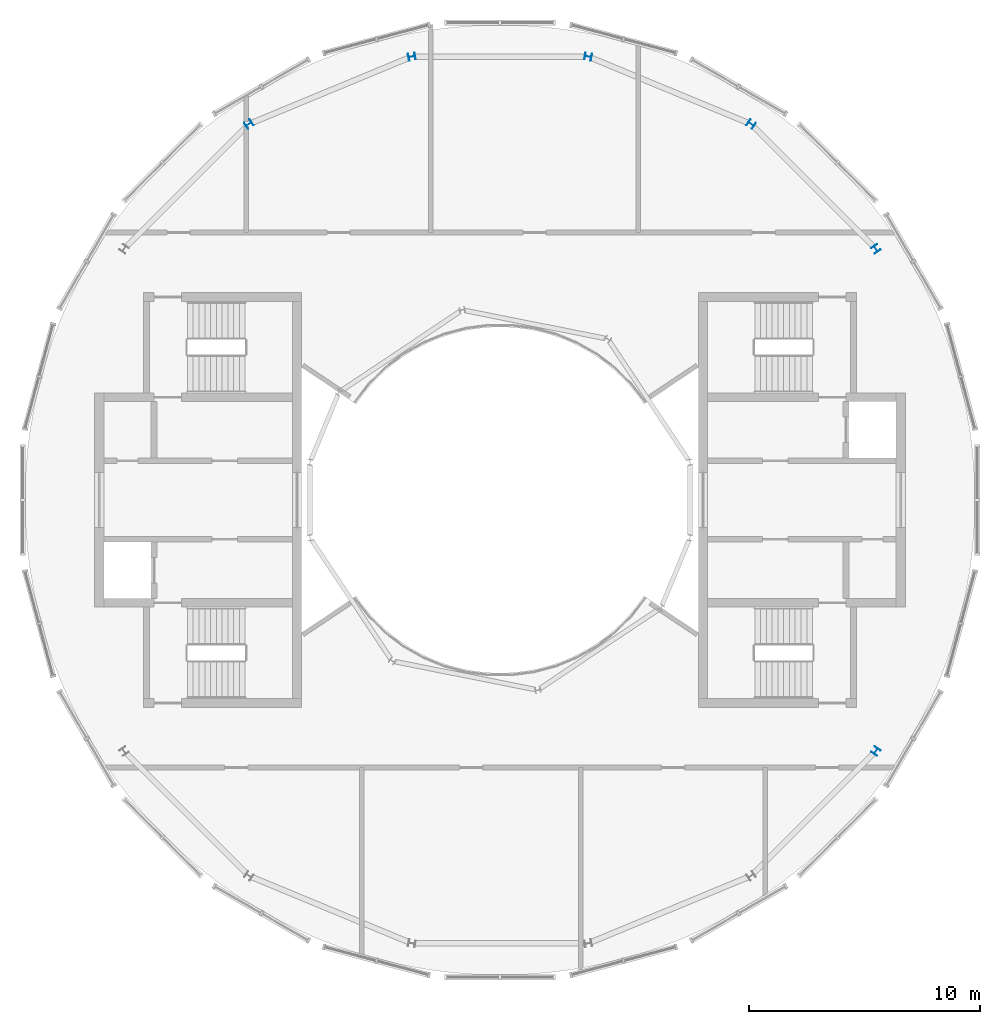
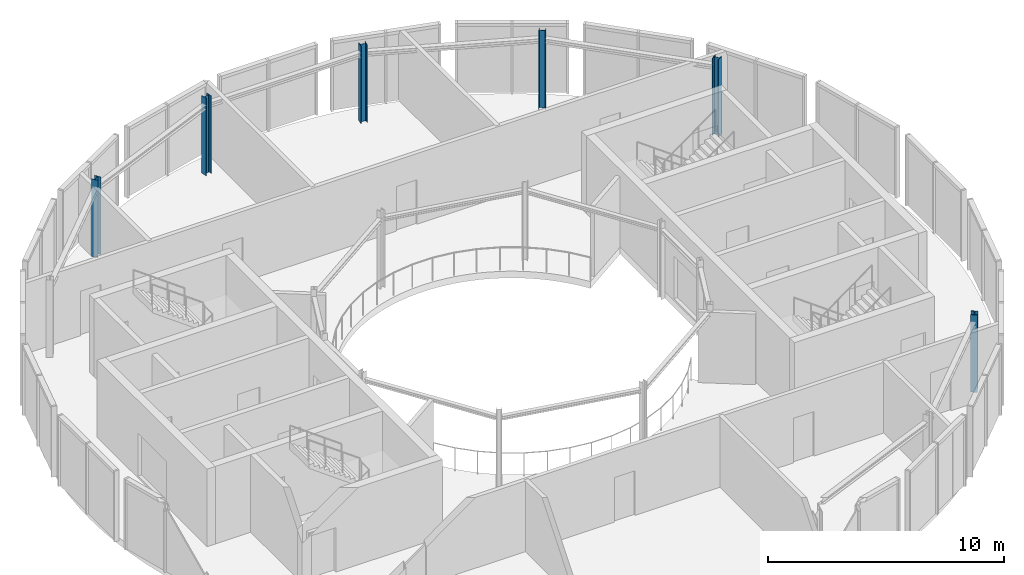
# One storey, part 3 of 12: 6 columns.
"""IFC4 building model written with IfcOpenShell, lengths in metres."""

from ifc_helpers import new_model, si_unit, direction, frame, origin, origin_2d, place, context, subcontext, project, spatial, i_section, extrude, material, material_profile, profile_set, type_object, element, save


model = new_model("IFC4")

# Units and contexts
model_context = context("Model", 3, precision=1e-05, world=origin(), true_north=direction((0.0, 1.0)))
body_context = subcontext(model_context, "Body", "Model", "MODEL_VIEW")
ifc_project = project(units=[si_unit("LENGTHUNIT", "METRE"), si_unit("AREAUNIT", "SQUARE_METRE"), si_unit("VOLUMEUNIT", "CUBIC_METRE"), si_unit("PLANEANGLEUNIT", "RADIAN"), si_unit("MASSUNIT", "GRAM", prefix="KILO")], contexts=[model_context])

# Site, building, storey
site_placement = place(None, origin())
site = spatial("IfcSite", under=ifc_project, at=site_placement, CompositionType="ELEMENT")
building_placement = place(site_placement, origin())
building = spatial("IfcBuilding", under=site, at=building_placement, Name="Maasbend Ring Residences", CompositionType="ELEMENT")
storey_placement = place(building_placement, frame((0.0, 0.0, 265.5)))
storey = spatial("IfcBuildingStorey", under=building, at=storey_placement, Name="L76", CompositionType="ELEMENT", Elevation=265.5)

# Columns
ifc_material = material(Name="Steel S355J2", Category="steel")
ifc_material_profile = material_profile(ifc_material, i_section(OverallWidth=0.300048828125, OverallDepth=0.300048828125, WebThickness=0.010986328125, FlangeThickness=0.01904296875, FilletRadius=0.027099609375, at=origin_2d()), Name="HEB 300")
ifc_profile_set = profile_set([ifc_material_profile], Name="Steel S355J2")
column_type = type_object("IfcColumnType", Name="Steel column HEB 300", PredefinedType="COLUMN", material=ifc_profile_set)
for number, where, z_axis, x_axis, name in (
    (1, (16.296875, 10.88916015625, 0.0), (0.0, 0.0, 1.0), (0.831469612303, 0.55557023302, 0.0), "Corridor ring column R2"),
    (2, (10.88916015625, 16.296875, 0.0), (0.0, 0.0, 1.0), (0.55557023302, 0.831469612303, 0.0), "Corridor ring column R3"),
    (3, (3.82373046875, 19.223388671875, 0.0), (0.0, 0.0, 1.0), (0.195090322016, 0.980785280403, 0.0), "Corridor ring column R4"),
    (4, (-3.82373046875, 19.223388671875, 0.0), (0.0, 0.0, 1.0), (-0.195090322016, 0.980785280403, 0.0), "Corridor ring column R5"),
    (5, (-10.88916015625, 16.296875, 0.0), (0.0, 0.0, 1.0), (-0.55557023302, 0.831469612303, 0.0), "Corridor ring column R6"),
    (6, (16.296875, -10.88916015625, 0.0), (0.0, 0.0, 1.0), (0.831469612303, -0.55557023302, 0.0), "Corridor ring column R15"),
):
    element("IfcColumn", number, at=place(storey_placement, frame(where, z_axis=z_axis, x_axis=x_axis)), inside=storey, type_object=column_type, Name=name, PredefinedType="COLUMN", context=body_context, shape_type="SweptSolid", body=[
        extrude(i_section(OverallWidth=0.300048828125, OverallDepth=0.300048828125, WebThickness=0.010986328125, FlangeThickness=0.01904296875, FilletRadius=0.027099609375, at=origin_2d()), origin(), (0.0, 0.0, 1.0), 4.0),
    ])

save(model, "model.ifc")
